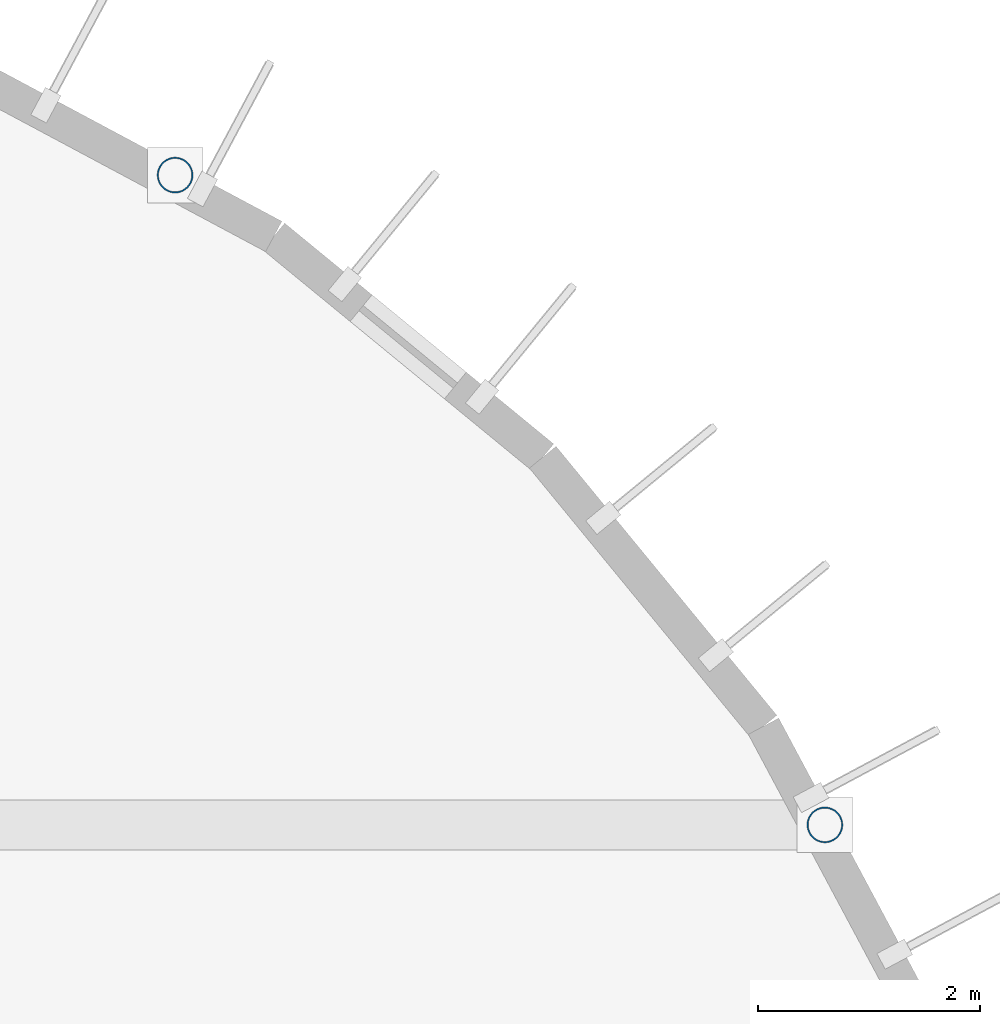
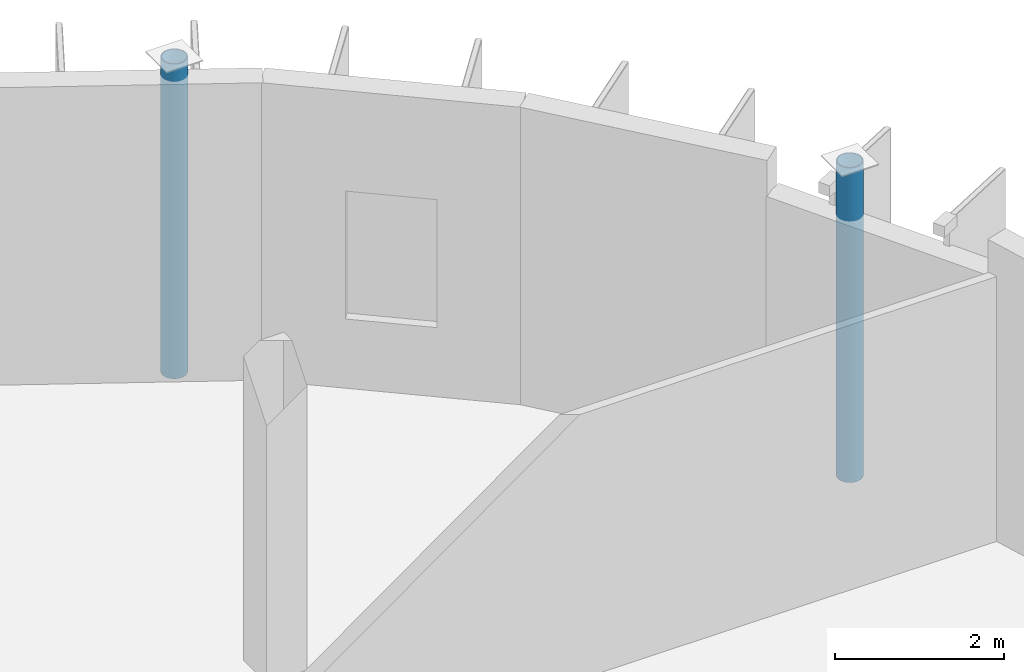
# One storey, part 12 of 93: 2 columns.
"""IFC4 building model written with IfcOpenShell, lengths in metres."""

import ifcopenshell
import ifcopenshell.guid

model = None  # the IFC model being written
_history = None  # IfcOwnerHistory: only IFC2X3 demands one
_inside = {}  # id of a spatial element -> (the spatial element, [elements in it])
_under = {}  # id of a project, library or spatial element -> (it, [spatial elements below it])
_declared = {}  # id of a project -> (the project, [libraries it declares])
_typed = {}  # id of a type object -> (the type object, [elements of that type])
_made_of = {}  # id of a material, layer set ... -> (it, [elements and type objects made of it])


def new_model(schema):
    """Start an empty IFC model of exactly this schema.

    Asked for "IFC4X3", IfcOpenShell would pick the latest addendum, in which some entities
    have other attributes; the version numbers below select the first issue.
    IFC2X3 requires an IfcOwnerHistory on every rooted entity: one is made here for all.
    """
    global model, _history
    if schema == "IFC4X3":
        model = ifcopenshell.file(schema_version=(4, 3, 0, 0))
    else:
        model = ifcopenshell.file(schema=schema)
    _inside.clear()
    _under.clear()
    _declared.clear()
    _typed.clear()
    _made_of.clear()
    _history = None
    if model.schema == "IFC2X3":
        org = make("IfcOrganization", Name="unknown")
        user = make(
            "IfcPersonAndOrganization",
            ThePerson=make("IfcPerson", FamilyName="unknown"),
            TheOrganization=org,
        )
        app = make(
            "IfcApplication",
            ApplicationDeveloper=org,
            Version="unknown",
            ApplicationFullName="unknown",
            ApplicationIdentifier="unknown",
        )
        _history = make(
            "IfcOwnerHistory",
            OwningUser=user,
            OwningApplication=app,
            ChangeAction="ADDED",
            CreationDate=0,
        )
    return model


def make(cls, **values):
    """One entity of the class cls with the attributes given. An attribute that is None is left unset."""
    return model.create_entity(
        cls, **{name: value for name, value in values.items() if value is not None}
    )


def rooted(cls, **values):
    """An entity with a GlobalId (a new one), such as an element, a storey or a relation."""
    return make(cls, GlobalId=ifcopenshell.guid.new(), OwnerHistory=_history, **values)


def si_unit(unit_type, name, prefix=None):
    """IfcSIUnit, for example si_unit("LENGTHUNIT", "METRE", prefix="MILLI")."""
    return make("IfcSIUnit", UnitType=unit_type, Prefix=prefix, Name=name)


def assignment(units):
    """IfcUnitAssignment: the units of a project."""
    return None if units is None else make("IfcUnitAssignment", Units=units)


def point(xyz):
    """IfcCartesianPoint."""
    return None if xyz is None else make("IfcCartesianPoint", Coordinates=xyz)


def direction(xyz):
    """IfcDirection."""
    return None if xyz is None else make("IfcDirection", DirectionRatios=xyz)


def frame(location, z_axis=None, x_axis=None):
    """IfcAxis2Placement3D, a coordinate frame: its origin and axes. An axis left out is left unset."""
    return make(
        "IfcAxis2Placement3D",
        Location=point(location),
        Axis=direction(z_axis),
        RefDirection=direction(x_axis),
    )


def frame_2d(location, x_axis=None):
    """IfcAxis2Placement2D, a coordinate frame in the plane: its origin and x axis."""
    return make(
        "IfcAxis2Placement2D", Location=point(location), RefDirection=direction(x_axis)
    )


def origin():
    """The frame at (0, 0, 0) with its axes left unset."""
    return frame((0.0, 0.0, 0.0))


def origin_2d():
    """The frame at (0, 0) in the plane with its x axis left unset."""
    return frame_2d((0.0, 0.0))


def place(relative_to, where):
    """IfcLocalPlacement: puts the frame where relative to a parent placement (None: the world)."""
    return make(
        "IfcLocalPlacement", PlacementRelTo=relative_to, RelativePlacement=where
    )


def context(
    kind, dimensions, precision=None, world=None, true_north=None, identifier=None
):
    """IfcGeometricRepresentationContext, for example the 3D "Model" context."""
    return make(
        "IfcGeometricRepresentationContext",
        ContextIdentifier=identifier,
        ContextType=kind,
        CoordinateSpaceDimension=dimensions,
        Precision=precision,
        WorldCoordinateSystem=world,
        TrueNorth=true_north,
    )


def subcontext(parent, identifier, kind, view, scale=None):
    """IfcGeometricRepresentationSubContext, for example "Body" below "Model"."""
    return make(
        "IfcGeometricRepresentationSubContext",
        ContextIdentifier=identifier,
        ContextType=kind,
        ParentContext=parent,
        TargetScale=scale,
        TargetView=view,
    )


def project(units=None, contexts=None):
    """IfcProject with its units and contexts."""
    return rooted(
        "IfcProject",
        Name="project",
        RepresentationContexts=contexts,
        UnitsInContext=assignment(units),
    )


def spatial(cls, under=None, at=None, **own):
    """A site, building, storey or space (cls), placed at a placement, below another one or the project."""
    s = rooted(cls, ObjectPlacement=at, **own)
    if under is not None:
        _under.setdefault(under.id(), (under, []))[1].append(s)
    return s


def profile(cls, at=None, kind="AREA", **sizes):
    """A parametric profile (cls). Its sizes go by their IFC names, for example OverallWidth=200.0."""
    return make(cls, ProfileType=kind, Position=at, **sizes)


def hollow_circle(**sizes):
    """IfcCircleHollowProfileDef."""
    return profile("IfcCircleHollowProfileDef", **sizes)


def extrude(swept, where, along, depth):
    """IfcExtrudedAreaSolid: the profile swept, set in the frame where, extruded along a direction by depth."""
    return make(
        "IfcExtrudedAreaSolid",
        SweptArea=swept,
        Position=where,
        ExtrudedDirection=direction(along),
        Depth=depth,
    )


def shape(context_of_items, identifier, shape_type, items):
    """IfcShapeRepresentation: the items that make up one representation, for example the "Body"."""
    return make(
        "IfcShapeRepresentation",
        ContextOfItems=context_of_items,
        RepresentationIdentifier=identifier,
        RepresentationType=shape_type,
        Items=items,
    )


def material(Name=None, Category=None):
    """IfcMaterial."""
    return make("IfcMaterial", Name=Name, Category=Category)


def material_profile(
    of_material, cross_section, Name=None, Category=None, Priority=None
):
    """IfcMaterialProfile: a cross section and its material."""
    return make(
        "IfcMaterialProfile",
        Name=Name,
        Material=of_material,
        Profile=cross_section,
        Priority=Priority,
        Category=Category,
    )


def profile_set(profiles, Name=None, composite=None):
    """IfcMaterialProfileSet."""
    return make(
        "IfcMaterialProfileSet",
        Name=Name,
        MaterialProfiles=profiles,
        CompositeProfile=composite,
    )


def made_of(thing, what):
    """Note that an element or type object is made of a material, layer set ...; save() writes the relation."""
    if what is not None:
        _made_of.setdefault(what.id(), (what, []))[1].append(thing)
    return thing


def type_object(cls, material=None, **own):
    """A type object (cls), such as IfcWallType, which elements share."""
    return made_of(rooted(cls, **own), material)


def element(
    cls,
    number,
    at=None,
    inside=None,
    cuts=None,
    type_object=None,
    material=None,
    context=None,
    identifier="Body",
    shape_type=None,
    held_by="IfcProductDefinitionShape",
    body=None,
    shapes=None,
    **own,
):
    """One element of the class cls, such as IfcWall. Its Tag is "e" and its number.

    at: its placement. inside: the storey or other place that contains it. cuts: it is an
    opening in that element (IfcRelVoidsElement). A single representation is given by context,
    identifier, shape_type and body (its items); several are given by shapes. held_by: the class
    of the entity that holds the representations. save() writes the other relations.
    """
    e = rooted(cls, Tag="e%d" % number, ObjectPlacement=at, **own)
    if body is not None:
        shapes = [shape(context, identifier, shape_type, body)]
    if shapes is not None:
        e.Representation = make(held_by, Representations=shapes)
    if inside is not None:
        _inside.setdefault(inside.id(), (inside, []))[1].append(e)
    if cuts is not None:
        rooted(
            "IfcRelVoidsElement", RelatingBuildingElement=cuts, RelatedOpeningElement=e
        )
    if type_object is not None:
        _typed.setdefault(type_object.id(), (type_object, []))[1].append(e)
    return made_of(e, material)


def aggregate(whole, parts):
    """IfcRelAggregates: a whole, such as a stair, and the parts it consists of."""
    return rooted("IfcRelAggregates", RelatingObject=whole, RelatedObjects=parts)


def save(model, path):
    """Write the relations noted so far, then the file.

    IfcRelAggregates (storeys below a building ...), IfcRelContainedInSpatialStructure (elements
    in a storey), IfcRelDefinesByType, IfcRelAssociatesMaterial and IfcRelDeclares: one each for
    every whole, place, type object, material and project.
    """
    for whole, parts in _under.values():
        aggregate(whole, parts)
    for where, things in _inside.values():
        rooted(
            "IfcRelContainedInSpatialStructure",
            RelatedElements=things,
            RelatingStructure=where,
        )
    for kind, things in _typed.values():
        rooted("IfcRelDefinesByType", RelatedObjects=things, RelatingType=kind)
    for what, things in _made_of.values():
        rooted("IfcRelAssociatesMaterial", RelatedObjects=things, RelatingMaterial=what)
    for by, libraries in _declared.values():
        rooted("IfcRelDeclares", RelatingContext=by, RelatedDefinitions=libraries)
    model.write(path)


model = new_model("IFC4")

# Units and contexts
model_context = context("Model", 3, precision=1e-05, world=origin(), true_north=direction((0.0, 1.0)))
body_context = subcontext(model_context, "Body", "Model", "MODEL_VIEW")
ifc_project = project(units=[si_unit("LENGTHUNIT", "METRE"), si_unit("AREAUNIT", "SQUARE_METRE"), si_unit("VOLUMEUNIT", "CUBIC_METRE"), si_unit("PLANEANGLEUNIT", "RADIAN"), si_unit("MASSUNIT", "GRAM", prefix="KILO")], contexts=[model_context])

# Site, building, storey
site_placement = place(None, origin())
site = spatial("IfcSite", under=ifc_project, at=site_placement, CompositionType="ELEMENT")
building_placement = place(site_placement, origin())
building = spatial("IfcBuilding", under=site, at=building_placement, Name="Drelvana Railside Aquatics Centre", CompositionType="ELEMENT")
storey_placement = place(building_placement, frame((0.0, 0.0, 5.39990234375)))
storey = spatial("IfcBuildingStorey", under=building, at=storey_placement, Name="L01", CompositionType="ELEMENT", Elevation=5.39990234375)

# Columns
ifc_material = material(Name="Structural steel S355", Category="steel")
ifc_material_profile = material_profile(ifc_material, hollow_circle(Radius=0.161865234375, WallThickness=0.012451171875, at=origin_2d()), Name="CHS 323.9x12.5")
ifc_profile_set = profile_set([ifc_material_profile], Name="Structural steel S355")
column_type = type_object("IfcColumnType", Name="STR-SCOL-CHS-323.9x12.5", PredefinedType="PILASTER", material=ifc_profile_set)
for number, where, z_axis, x_axis, name in (
    (1, (181.8564453125, 96.0, 0.0), (0.0, 0.0, 1.0), (1.0, 0.0, 0.0), "Column SC-04 (L01)"),
    (2, (176.0, 101.8564453125, 0.0), (0.0, 0.0, 1.0), (1.0, 0.0, 0.0), "Column SC-04 (L01)"),
):
    element("IfcColumn", number, at=place(storey_placement, frame(where, z_axis=z_axis, x_axis=x_axis)), inside=storey, type_object=column_type, Name=name, PredefinedType="PILASTER", context=body_context, shape_type="SweptSolid", body=[
        extrude(hollow_circle(Radius=0.161865234375, WallThickness=0.012451171875, at=origin_2d()), origin(), (0.0, 0.0, 1.0), 4.550048828125),
    ])

save(model, "model.ifc")
